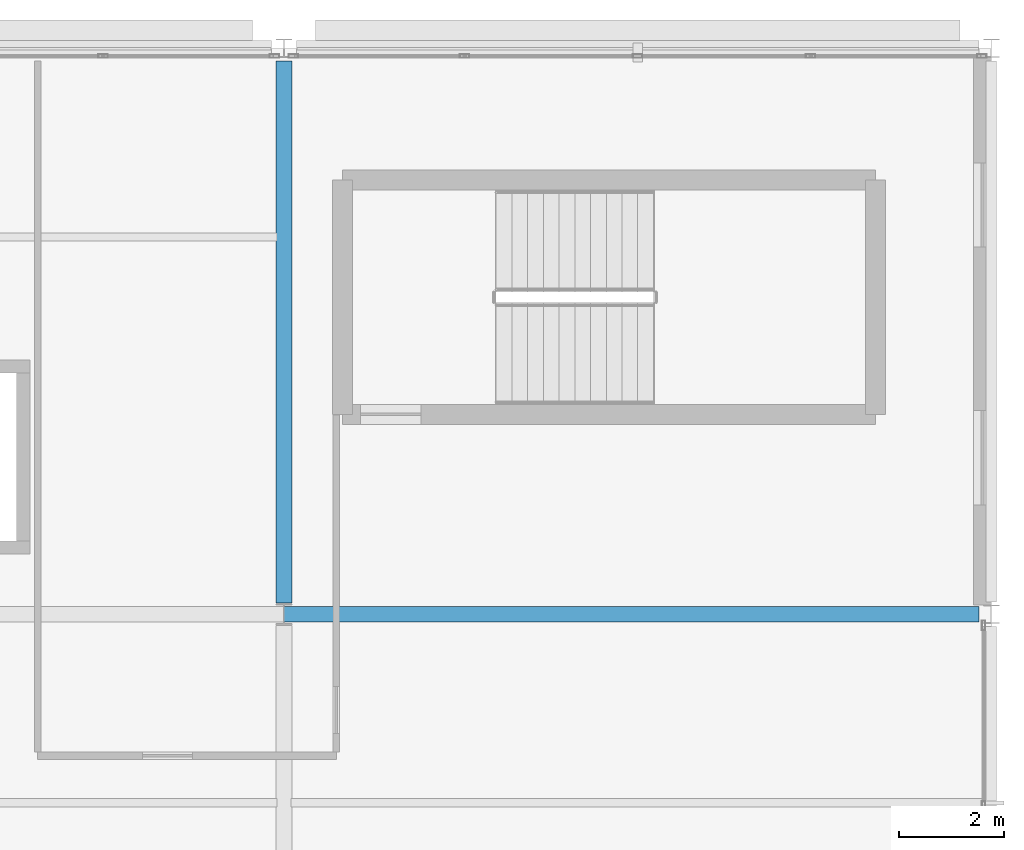
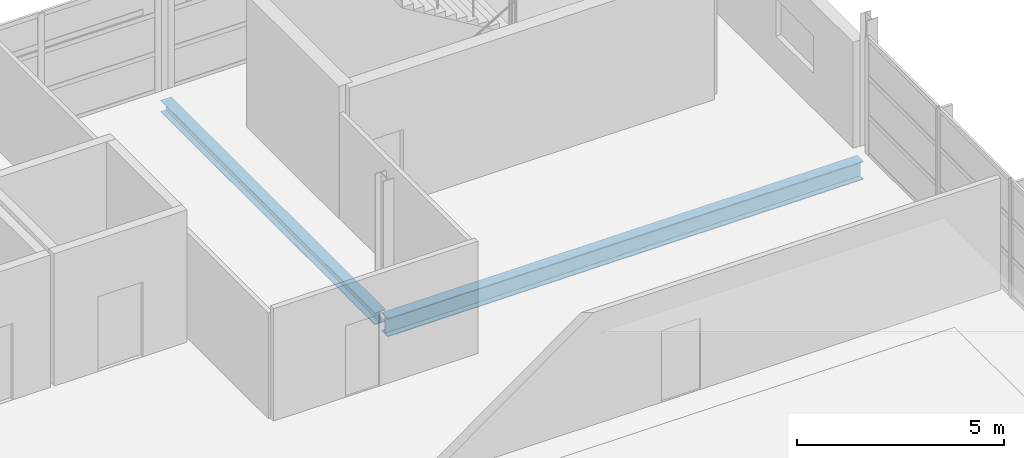
# One storey, part 23 of 33: 2 beams.
"""IFC4 building model written with IfcOpenShell, lengths in metres."""

from ifc_helpers import new_model, si_unit, direction, frame, origin, origin_2d, place, context, subcontext, project, spatial, i_section, extrude, material, material_profile, profile_set, type_object, element, save


model = new_model("IFC4")

# Units and contexts
model_context = context("Model", 3, precision=1e-05, world=origin(), true_north=direction((0.0, 1.0)))
body_context = subcontext(model_context, "Body", "Model", "MODEL_VIEW")
ifc_project = project(units=[si_unit("LENGTHUNIT", "METRE"), si_unit("AREAUNIT", "SQUARE_METRE"), si_unit("VOLUMEUNIT", "CUBIC_METRE"), si_unit("PLANEANGLEUNIT", "RADIAN"), si_unit("MASSUNIT", "GRAM", prefix="KILO")], contexts=[model_context])

# Site, building, storey
site_placement = place(None, origin())
site = spatial("IfcSite", under=ifc_project, at=site_placement, CompositionType="ELEMENT")
building_placement = place(site_placement, origin())
building = spatial("IfcBuilding", under=site, at=building_placement, Name="Tamarisk Ironworks Central Station", CompositionType="ELEMENT")
storey_placement = place(building_placement, frame((0.0, 0.0, 21.300048828125)))
storey = spatial("IfcBuildingStorey", under=building, at=storey_placement, Name="L04", CompositionType="ELEMENT", Elevation=21.300048828125)

# Beams
ifc_material = material(Name="Structural steel S355J2", Category="steel")
ifc_material_profile_1 = material_profile(ifc_material, i_section(OverallWidth=0.300048828125, OverallDepth=0.5400390625, WebThickness=0.012451171875, FlangeThickness=0.02392578125, at=origin_2d()), Name="HEA 550")
ifc_profile_set_1 = profile_set([ifc_material_profile_1], Name="Structural steel S355J2")
beam_type_1 = type_object("IfcBeamType", Name="BM-G04", PredefinedType="BEAM", material=ifc_profile_set_1)
beam_1_placement = place(storey_placement, frame((166.50390625, 111.60009765625, -0.489990234375), z_axis=(1.0, 0.0, 0.0), x_axis=(0.0, 1.0, 0.0)))
element("IfcBeam", 1, at=beam_1_placement, inside=storey, type_object=beam_type_1, Name="L04 primary girder X-0724", PredefinedType="BEAM", context=body_context, shape_type="SweptSolid", body=[
    extrude(i_section(OverallWidth=0.300048828125, OverallDepth=0.5400390625, WebThickness=0.012451171875, FlangeThickness=0.02392578125, at=origin_2d()), origin(), (0.0, 0.0, 1.0), 13.258056640625),
])
ifc_material_profile_2 = material_profile(ifc_material, i_section(OverallWidth=0.300048828125, OverallDepth=0.35009765625, WebThickness=0.010009765625, FlangeThickness=0.017578125, at=origin_2d()), Name="HEA 360")
ifc_profile_set_2 = profile_set([ifc_material_profile_2], Name="Structural steel S355J2")
beam_type_2 = type_object("IfcBeamType", Name="BM-G08", PredefinedType="BEAM", material=ifc_profile_set_2)
beam_2_placement = place(storey_placement, frame((166.5, 111.81298828125, -0.39501953125), z_axis=(0.0, 1.0, 0.0), x_axis=(-1.0, 0.0, 0.0)))
element("IfcBeam", 2, at=beam_2_placement, inside=storey, type_object=beam_type_2, Name="L04 primary girder Y-0745", PredefinedType="BEAM", context=body_context, shape_type="SweptSolid", body=[
    extrude(i_section(OverallWidth=0.300048828125, OverallDepth=0.35009765625, WebThickness=0.010009765625, FlangeThickness=0.017578125, at=origin_2d()), origin(), (0.0, 0.0, 1.0), 10.34912109375),
])

save(model, "model.ifc")
